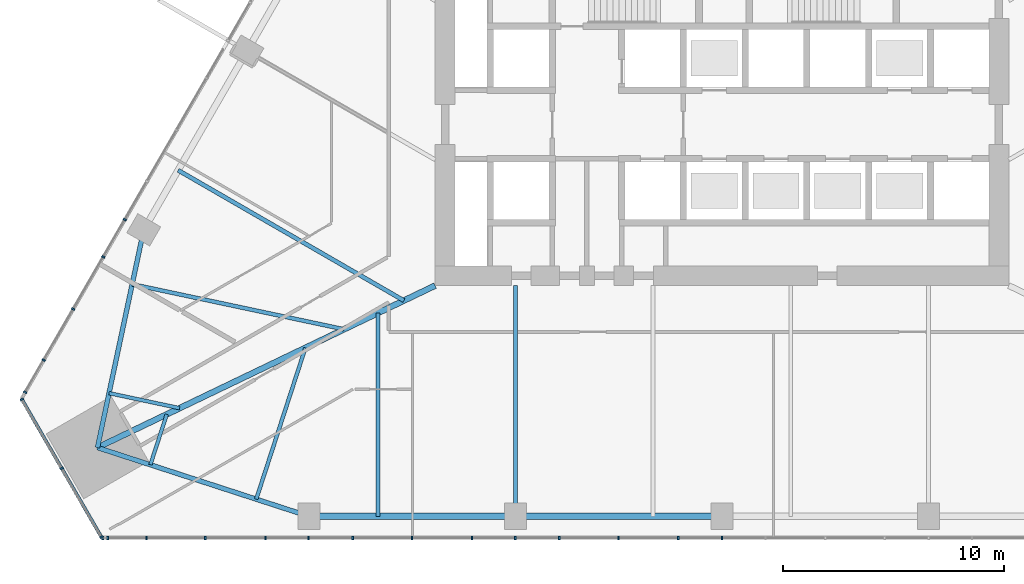
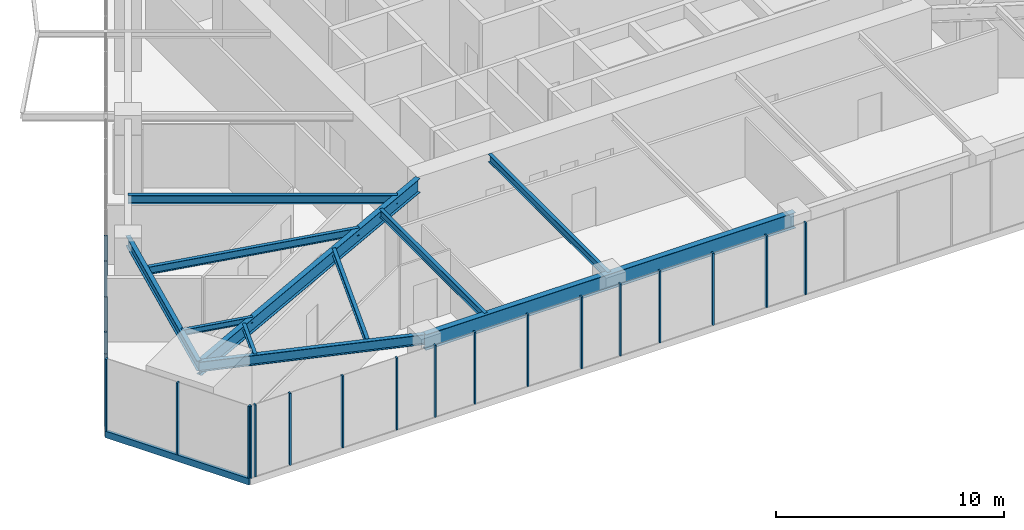
# One storey, part 2 of 22: 23 members, 11 beams, 3 elements without a shape of their own.
"""IFC4 building model written with IfcOpenShell, lengths in metres."""

from ifc_helpers import new_model, si_unit, direction, frame, origin, origin_2d, place, context, subcontext, project, spatial, rectangle, i_section, extrude, material, layer, layer_set, material_profile, profile_set, type_object, element, aggregate, save


model = new_model("IFC4")

# Units and contexts
model_context = context("Model", 3, precision=1e-05, world=origin(), true_north=direction((0.0, 1.0)))
body_context = subcontext(model_context, "Body", "Model", "MODEL_VIEW")
ifc_project = project(units=[si_unit("LENGTHUNIT", "METRE"), si_unit("AREAUNIT", "SQUARE_METRE"), si_unit("VOLUMEUNIT", "CUBIC_METRE"), si_unit("PLANEANGLEUNIT", "RADIAN"), si_unit("MASSUNIT", "GRAM", prefix="KILO")], contexts=[model_context])

# Site, building, storey
site_placement = place(None, origin())
site = spatial("IfcSite", under=ifc_project, at=site_placement, CompositionType="ELEMENT")
building_placement = place(site_placement, origin())
building = spatial("IfcBuilding", under=site, at=building_placement, Name="Firuza Gate Tower and Library", CompositionType="ELEMENT")
storey_placement = place(building_placement, frame((0.0, 0.0, 111.39990234375)))
storey = spatial("IfcBuildingStorey", under=building, at=storey_placement, Name="L25", CompositionType="ELEMENT", Elevation=111.39990234375)

# Curtain wall, members
ifc_material_1 = material(Name="Aluminium 6063-T6", Category="aluminium")
ifc_layer_1 = layer(ifc_material_1, 0.14990234375)
ifc_layer_set_1 = layer_set([ifc_layer_1], Name="Unitised curtain wall, offices")
curtain_wall_type_1 = type_object("IfcCurtainWallType", Name="Unitised curtain wall, offices", PredefinedType="NOTDEFINED", material=ifc_layer_set_1)
placement = place(storey_placement, origin())
curtain_wall_1 = element("IfcCurtainWall", 1, at=placement, inside=storey, type_object=curtain_wall_type_1, Name="CW1 L25 S face", PredefinedType="NOTDEFINED")
ifc_material_2 = material(Name="Aluminium 6063-T6", Category="aluminium")
ifc_material_profile_1 = material_profile(ifc_material_2, rectangle(XDim=0.14990234375, YDim=0.080078125, at=origin_2d()))
ifc_profile_set_1 = profile_set([ifc_material_profile_1], Name="Aluminium 6063-T6")
member_type_1 = type_object("IfcMemberType", Name="Curtain wall mullion 80x150", PredefinedType="MULLION", material=ifc_profile_set_1)
member_1_placement = place(storey_placement, frame((46.93408203125, 54.566162109375, 0.150146484375), z_axis=(0.0, 0.0, 1.0), x_axis=(0.0, 1.0, 0.0)))
member_1 = element("IfcMember", 2, at=member_1_placement, type_object=member_type_1, Name="Mullion", PredefinedType="MULLION", context=body_context, shape_type="SweptSolid", body=[
    extrude(rectangle(XDim=0.14990234375, YDim=0.080078125, at=origin_2d()), origin(), (0.0, 0.0, 1.0), 3.849853515625),
])
member_2_placement = place(storey_placement, frame((51.578369140625, 54.566162109375, 0.150146484375), z_axis=(0.0, 0.0, 1.0), x_axis=(0.0, 1.0, 0.0)))
member_2 = element("IfcMember", 3, at=member_2_placement, type_object=member_type_1, Name="Mullion", PredefinedType="MULLION", context=body_context, shape_type="SweptSolid", body=[
    extrude(rectangle(XDim=0.14990234375, YDim=0.080078125, at=origin_2d()), origin(), (0.0, 0.0, 1.0), 3.849853515625),
])
member_3_placement = place(storey_placement, frame((56.2626953125, 54.566162109375, 0.150146484375), z_axis=(0.0, 0.0, 1.0), x_axis=(0.0, 1.0, 0.0)))
member_3 = element("IfcMember", 4, at=member_3_placement, type_object=member_type_1, Name="Mullion", PredefinedType="MULLION", context=body_context, shape_type="SweptSolid", body=[
    extrude(rectangle(XDim=0.14990234375, YDim=0.080078125, at=origin_2d()), origin(), (0.0, 0.0, 1.0), 3.849853515625),
])
member_4_placement = place(storey_placement, frame((60.947021484375, 54.566162109375, 0.150146484375), z_axis=(0.0, 0.0, 1.0), x_axis=(0.0, 1.0, 0.0)))
member_4 = element("IfcMember", 5, at=member_4_placement, type_object=member_type_1, Name="Mullion", PredefinedType="MULLION", context=body_context, shape_type="SweptSolid", body=[
    extrude(rectangle(XDim=0.14990234375, YDim=0.080078125, at=origin_2d()), origin(), (0.0, 0.0, 1.0), 3.849853515625),
])
member_5_placement = place(storey_placement, frame((65.63134765625, 54.566162109375, 0.150146484375), z_axis=(0.0, 0.0, 1.0), x_axis=(0.0, 1.0, 0.0)))
member_5 = element("IfcMember", 6, at=member_5_placement, type_object=member_type_1, Name="Mullion", PredefinedType="MULLION", context=body_context, shape_type="SweptSolid", body=[
    extrude(rectangle(XDim=0.14990234375, YDim=0.080078125, at=origin_2d()), origin(), (0.0, 0.0, 1.0), 3.849853515625),
])
member_6_placement = place(storey_placement, frame((70.315673828125, 54.566162109375, 0.150146484375), z_axis=(0.0, 0.0, 1.0), x_axis=(0.0, 1.0, 0.0)))
member_6 = element("IfcMember", 7, at=member_6_placement, type_object=member_type_1, Name="Mullion", PredefinedType="MULLION", context=body_context, shape_type="SweptSolid", body=[
    extrude(rectangle(XDim=0.14990234375, YDim=0.080078125, at=origin_2d()), origin(), (0.0, 0.0, 1.0), 3.849853515625),
])
member_7_placement = place(storey_placement, frame((75.0, 54.566162109375, 0.150146484375), z_axis=(0.0, 0.0, 1.0), x_axis=(0.0, 1.0, 0.0)))
member_7 = element("IfcMember", 8, at=member_7_placement, type_object=member_type_1, Name="Mullion", PredefinedType="MULLION", context=body_context, shape_type="SweptSolid", body=[
    extrude(rectangle(XDim=0.14990234375, YDim=0.080078125, at=origin_2d()), origin(), (0.0, 0.0, 1.0), 3.849853515625),
])
member_8_placement = place(storey_placement, frame((47.16015625, 54.566162109375, 0.150146484375), z_axis=(0.0, 0.0, 1.0), x_axis=(0.0, 1.0, 0.0)))
member_8 = element("IfcMember", 9, at=member_8_placement, type_object=member_type_1, Name="Mullion", PredefinedType="MULLION", context=body_context, shape_type="SweptSolid", body=[
    extrude(rectangle(XDim=0.14990234375, YDim=0.080078125, at=origin_2d()), origin(), (0.0, 0.0, 1.0), 3.849853515625),
])
member_9_placement = place(storey_placement, frame((48.913818359375, 54.566162109375, 0.150146484375), z_axis=(0.0, 0.0, 1.0), x_axis=(0.0, 1.0, 0.0)))
member_9 = element("IfcMember", 10, at=member_9_placement, type_object=member_type_1, Name="Mullion", PredefinedType="MULLION", context=body_context, shape_type="SweptSolid", body=[
    extrude(rectangle(XDim=0.14990234375, YDim=0.080078125, at=origin_2d()), origin(), (0.0, 0.0, 1.0), 3.849853515625),
])
member_10_placement = place(storey_placement, frame((54.315185546875, 54.566162109375, 0.150146484375), z_axis=(0.0, 0.0, 1.0), x_axis=(0.0, 1.0, 0.0)))
member_10 = element("IfcMember", 11, at=member_10_placement, type_object=member_type_1, Name="Mullion", PredefinedType="MULLION", context=body_context, shape_type="SweptSolid", body=[
    extrude(rectangle(XDim=0.14990234375, YDim=0.080078125, at=origin_2d()), origin(), (0.0, 0.0, 1.0), 3.849853515625),
])
member_11_placement = place(storey_placement, frame((58.26806640625, 54.566162109375, 0.150146484375), z_axis=(0.0, 0.0, 1.0), x_axis=(0.0, 1.0, 0.0)))
member_11 = element("IfcMember", 12, at=member_11_placement, type_object=member_type_1, Name="Mullion", PredefinedType="MULLION", context=body_context, shape_type="SweptSolid", body=[
    extrude(rectangle(XDim=0.14990234375, YDim=0.080078125, at=origin_2d()), origin(), (0.0, 0.0, 1.0), 3.849853515625),
])
member_12_placement = place(storey_placement, frame((63.669189453125, 54.566162109375, 0.150146484375), z_axis=(0.0, 0.0, 1.0), x_axis=(0.0, 1.0, 0.0)))
member_12 = element("IfcMember", 13, at=member_12_placement, type_object=member_type_1, Name="Mullion", PredefinedType="MULLION", context=body_context, shape_type="SweptSolid", body=[
    extrude(rectangle(XDim=0.14990234375, YDim=0.080078125, at=origin_2d()), origin(), (0.0, 0.0, 1.0), 3.849853515625),
])
member_13_placement = place(storey_placement, frame((67.622314453125, 54.566162109375, 0.150146484375), z_axis=(0.0, 0.0, 1.0), x_axis=(0.0, 1.0, 0.0)))
member_13 = element("IfcMember", 14, at=member_13_placement, type_object=member_type_1, Name="Mullion", PredefinedType="MULLION", context=body_context, shape_type="SweptSolid", body=[
    extrude(rectangle(XDim=0.14990234375, YDim=0.080078125, at=origin_2d()), origin(), (0.0, 0.0, 1.0), 3.849853515625),
])
member_14_placement = place(storey_placement, frame((73.0234375, 54.566162109375, 0.150146484375), z_axis=(0.0, 0.0, 1.0), x_axis=(0.0, 1.0, 0.0)))
member_14 = element("IfcMember", 15, at=member_14_placement, type_object=member_type_1, Name="Mullion", PredefinedType="MULLION", context=body_context, shape_type="SweptSolid", body=[
    extrude(rectangle(XDim=0.14990234375, YDim=0.080078125, at=origin_2d()), origin(), (0.0, 0.0, 1.0), 3.849853515625),
])
aggregate(curtain_wall_1, [member_1, member_2, member_3, member_4, member_5, member_6, member_7, member_8, member_9, member_10, member_11, member_12, member_13, member_14])

curtain_wall_2 = element("IfcCurtainWall", 16, at=placement, inside=storey, type_object=curtain_wall_type_1, Name="CW1 L25 W face", PredefinedType="NOTDEFINED")
member_15_placement = place(storey_placement, frame((47.93505859375, 68.989990234375, 0.150146484375), z_axis=(0.0, 0.0, 1.0), x_axis=(0.866025403784, -0.5, 0.0)))
member_15 = element("IfcMember", 17, at=member_15_placement, type_object=member_type_1, Name="Mullion", PredefinedType="MULLION", context=body_context, shape_type="SweptSolid", body=[
    extrude(rectangle(XDim=0.14990234375, YDim=0.080078125, at=origin_2d()), origin(), (0.0, 0.0, 1.0), 3.849853515625),
])
member_16_placement = place(storey_placement, frame((45.593017578125, 64.933349609375, 0.150146484375), z_axis=(0.0, 0.0, 1.0), x_axis=(0.866025403784, -0.5, 0.0)))
member_16 = element("IfcMember", 18, at=member_16_placement, type_object=member_type_1, Name="Mullion", PredefinedType="MULLION", context=body_context, shape_type="SweptSolid", body=[
    extrude(rectangle(XDim=0.14990234375, YDim=0.080078125, at=origin_2d()), origin(), (0.0, 0.0, 1.0), 3.849853515625),
])
member_17_placement = place(storey_placement, frame((46.961181640625, 67.30322265625, 0.150146484375), z_axis=(0.0, 0.0, 1.0), x_axis=(0.866025403784, -0.5, 0.0)))
member_17 = element("IfcMember", 19, at=member_17_placement, type_object=member_type_1, Name="Mullion", PredefinedType="MULLION", context=body_context, shape_type="SweptSolid", body=[
    extrude(rectangle(XDim=0.14990234375, YDim=0.080078125, at=origin_2d()), origin(), (0.0, 0.0, 1.0), 3.849853515625),
])
member_18_placement = place(storey_placement, frame((44.2607421875, 62.625732421875, 0.150146484375), z_axis=(0.0, 0.0, 1.0), x_axis=(0.866025403784, -0.5, 0.0)))
member_18 = element("IfcMember", 20, at=member_18_placement, type_object=member_type_1, Name="Mullion", PredefinedType="MULLION", context=body_context, shape_type="SweptSolid", body=[
    extrude(rectangle(XDim=0.14990234375, YDim=0.080078125, at=origin_2d()), origin(), (0.0, 0.0, 1.0), 3.849853515625),
])
member_19_placement = place(storey_placement, frame((43.416259765625, 61.163330078125, 0.150146484375), z_axis=(0.0, 0.0, 1.0), x_axis=(0.866025403784, -0.5, 0.0)))
member_19 = element("IfcMember", 21, at=member_19_placement, type_object=member_type_1, Name="Mullion", PredefinedType="MULLION", context=body_context, shape_type="SweptSolid", body=[
    extrude(rectangle(XDim=0.14990234375, YDim=0.080078125, at=origin_2d()), origin(), (0.0, 0.0, 1.0), 3.849853515625),
])
aggregate(curtain_wall_2, [member_15, member_16, member_17, member_18, member_19])

ifc_material_3 = material(Name="Aluminium 6063-T6", Category="aluminium")
ifc_layer_2 = layer(ifc_material_3, 0.14990234375)
ifc_layer_set_2 = layer_set([ifc_layer_2], Name="Corner curtain wall, chamfers")
curtain_wall_type_2 = type_object("IfcCurtainWallType", Name="Corner curtain wall, chamfers", PredefinedType="NOTDEFINED", material=ifc_layer_set_2)
curtain_wall_3 = element("IfcCurtainWall", 22, at=placement, inside=storey, type_object=curtain_wall_type_2, Name="CW4 L25 SW corner", PredefinedType="NOTDEFINED")
member_20_placement = place(storey_placement, frame((43.270751953125, 60.841796875, 0.150146484375), z_axis=(0.0, 0.0, 1.0), x_axis=(0.866025403784, 0.5, 0.0)))
member_20 = element("IfcMember", 23, at=member_20_placement, type_object=member_type_1, Name="Mullion", PredefinedType="MULLION", context=body_context, shape_type="SweptSolid", body=[
    extrude(rectangle(XDim=0.14990234375, YDim=0.080078125, at=origin_2d()), origin(), (0.0, 0.0, 1.0), 3.849853515625),
])
member_21_placement = place(storey_placement, frame((45.072509765625, 57.72119140625, 0.150146484375), z_axis=(0.0, 0.0, 1.0), x_axis=(0.866025403784, 0.5, 0.0)))
member_21 = element("IfcMember", 24, at=member_21_placement, type_object=member_type_1, Name="Mullion", PredefinedType="MULLION", context=body_context, shape_type="SweptSolid", body=[
    extrude(rectangle(XDim=0.14990234375, YDim=0.080078125, at=origin_2d()), origin(), (0.0, 0.0, 1.0), 3.849853515625),
])
member_22_placement = place(storey_placement, frame((46.8740234375, 54.600830078125, 0.150146484375), z_axis=(0.0, 0.0, 1.0), x_axis=(0.866025403784, 0.5, 0.0)))
member_22 = element("IfcMember", 25, at=member_22_placement, type_object=member_type_1, Name="Mullion", PredefinedType="MULLION", context=body_context, shape_type="SweptSolid", body=[
    extrude(rectangle(XDim=0.14990234375, YDim=0.080078125, at=origin_2d()), origin(), (0.0, 0.0, 1.0), 3.849853515625),
])
ifc_material_4 = material(Name="Aluminium 6063-T6", Category="aluminium")
ifc_material_profile_2 = material_profile(ifc_material_4, rectangle(XDim=0.14990234375, YDim=0.35009765625, at=origin_2d()))
ifc_profile_set_2 = profile_set([ifc_material_profile_2], Name="Aluminium 6063-T6")
member_type_2 = type_object("IfcMemberType", Name="Curtain wall transom 350x150", PredefinedType="USERDEFINED", material=ifc_profile_set_2)
member_23_placement = place(storey_placement, frame((43.250732421875, 60.87646484375, -0.02490234375), z_axis=(0.500005719219, -0.866022101766, 0.0), x_axis=(0.866022101766, 0.500005719219, 0.0)))
member_23 = element("IfcMember", 26, at=member_23_placement, type_object=member_type_2, Name="Transom", ObjectType="TRANSOM", PredefinedType="USERDEFINED", context=body_context, shape_type="SweptSolid", body=[
    extrude(rectangle(XDim=0.14990234375, YDim=0.35009765625, at=origin_2d()), origin(), (0.0, 0.0, 1.0), 7.28662109375),
])
aggregate(curtain_wall_3, [member_20, member_21, member_22, member_23])

# Beams
ifc_material_5 = material(Name="Steel S355", Category="steel")
ifc_material_profile_3 = material_profile(ifc_material_5, i_section(OverallWidth=0.1650390625, OverallDepth=0.31005859375, WebThickness=0.005859375, FlangeThickness=0.009765625, at=origin_2d()))
ifc_profile_set_3 = profile_set([ifc_material_profile_3], Name="Steel S355")
beam_type_1 = type_object("IfcBeamType", Name="W310x39 Floor beam", PredefinedType="JOIST", material=ifc_profile_set_3)
beam_1_placement = place(storey_placement, frame((47.220703125, 61.1259765625, 3.84521484375), z_axis=(0.97813855531, -0.207954241639, 0.0), x_axis=(0.207954241639, 0.97813855531, 0.0)))
element("IfcBeam", 27, at=beam_1_placement, inside=storey, type_object=beam_type_1, Name="Floor beam L25 s01", PredefinedType="JOIST", context=body_context, shape_type="SweptSolid", body=[
    extrude(i_section(OverallWidth=0.1650390625, OverallDepth=0.31005859375, WebThickness=0.005859375, FlangeThickness=0.009765625, at=origin_2d()), origin(), (0.0, 0.0, 1.0), 3.27197265625),
])
beam_2_placement = place(storey_placement, frame((49.094970703125, 57.87939453125, 3.84521484375), z_axis=(0.308998819995, 0.951062421317, 0.0), x_axis=(-0.951062421317, 0.308998819995, 0.0)))
element("IfcBeam", 28, at=beam_2_placement, inside=storey, type_object=beam_type_1, Name="Floor beam L25 s10", PredefinedType="JOIST", context=body_context, shape_type="SweptSolid", body=[
    extrude(i_section(OverallWidth=0.1650390625, OverallDepth=0.31005859375, WebThickness=0.005859375, FlangeThickness=0.009765625, at=origin_2d()), origin(), (0.0, 0.0, 1.0), 2.404296875),
])
ifc_material_6 = material(Name="Steel S355", Category="steel")
ifc_material_profile_4 = material_profile(ifc_material_6, i_section(OverallWidth=0.1708984375, OverallDepth=0.35498046875, WebThickness=0.007080078125, FlangeThickness=0.01171875, at=origin_2d()))
ifc_profile_set_4 = profile_set([ifc_material_profile_4], Name="Steel S355")
beam_type_2 = type_object("IfcBeamType", Name="W360x51 Floor beam", PredefinedType="JOIST", material=ifc_profile_set_4)
beam_3_placement = place(storey_placement, frame((53.892822265625, 56.320556640625, 3.822509765625), z_axis=(0.309008767466, 0.951059189341, 0.0), x_axis=(-0.951059189341, 0.309008767466, 0.0)))
element("IfcBeam", 29, at=beam_3_placement, inside=storey, type_object=beam_type_2, Name="Floor beam L25 s11", PredefinedType="JOIST", context=body_context, shape_type="SweptSolid", body=[
    extrude(i_section(OverallWidth=0.1708984375, OverallDepth=0.35498046875, WebThickness=0.007080078125, FlangeThickness=0.01171875, at=origin_2d()), origin(), (0.0, 0.0, 1.0), 7.212646484375),
])
ifc_material_7 = material(Name="Steel S355", Category="steel")
ifc_material_profile_5 = material_profile(ifc_material_7, i_section(OverallWidth=0.177978515625, OverallDepth=0.406982421875, WebThickness=0.0078125, FlangeThickness=0.0126953125, at=origin_2d()))
ifc_profile_set_5 = profile_set([ifc_material_profile_5], Name="Steel S355")
beam_type_3 = type_object("IfcBeamType", Name="W410x60 Floor beam", PredefinedType="JOIST", material=ifc_profile_set_5)
beam_4_placement = place(storey_placement, frame((48.26953125, 66.060302734375, 3.796630859375), z_axis=(0.978144689505, -0.207925386601, 0.0), x_axis=(0.207925386601, 0.978144689505, 0.0)))
element("IfcBeam", 30, at=beam_4_placement, inside=storey, type_object=beam_type_3, Name="Floor beam L25 s00", PredefinedType="JOIST", context=body_context, shape_type="SweptSolid", body=[
    extrude(i_section(OverallWidth=0.177978515625, OverallDepth=0.406982421875, WebThickness=0.0078125, FlangeThickness=0.0126953125, at=origin_2d()), origin(), (0.0, 0.0, 1.0), 9.816162109375),
])
beam_5_placement = place(storey_placement, frame((59.40966796875, 55.541015625, 3.796630859375), z_axis=(0.0, 1.0, 0.0), x_axis=(-1.0, 0.0, 0.0)))
element("IfcBeam", 31, at=beam_5_placement, inside=storey, type_object=beam_type_3, Name="Floor beam L25 s20", PredefinedType="JOIST", context=body_context, shape_type="SweptSolid", body=[
    extrude(i_section(OverallWidth=0.177978515625, OverallDepth=0.406982421875, WebThickness=0.0078125, FlangeThickness=0.0126953125, at=origin_2d()), origin(), (0.0, 0.0, 1.0), 9.21630859375),
])
beam_6_placement = place(storey_placement, frame((65.645751953125, 55.541015625, 3.796630859375), z_axis=(0.0, 1.0, 0.0), x_axis=(-1.0, 0.0, 0.0)))
element("IfcBeam", 32, at=beam_6_placement, inside=storey, type_object=beam_type_3, Name="Floor beam L25 s21", PredefinedType="JOIST", context=body_context, shape_type="SweptSolid", body=[
    extrude(i_section(OverallWidth=0.177978515625, OverallDepth=0.406982421875, WebThickness=0.0078125, FlangeThickness=0.0126953125, at=origin_2d()), origin(), (0.0, 0.0, 1.0), 10.458984375),
])
ifc_material_8 = material(Name="Steel S355", Category="steel")
ifc_material_profile_6 = material_profile(ifc_material_8, i_section(OverallWidth=0.18994140625, OverallDepth=0.45703125, WebThickness=0.009033203125, FlangeThickness=0.014404296875, at=origin_2d()))
ifc_profile_set_6 = profile_set([ifc_material_profile_6], Name="Steel S355")
beam_type_4 = type_object("IfcBeamType", Name="W460x74 Floor beam", PredefinedType="JOIST", material=ifc_profile_set_6)
beam_7_placement = place(storey_placement, frame((50.35302734375, 71.227783203125, 3.771484375), z_axis=(0.866025562448, -0.499999725187, 0.0), x_axis=(0.499999725187, 0.866025562448, 0.0)))
element("IfcBeam", 33, at=beam_7_placement, inside=storey, type_object=beam_type_4, Name="Floor beam L25 s85", PredefinedType="JOIST", context=body_context, shape_type="SweptSolid", body=[
    extrude(i_section(OverallWidth=0.18994140625, OverallDepth=0.45703125, WebThickness=0.009033203125, FlangeThickness=0.014404296875, at=origin_2d()), origin(), (0.0, 0.0, 1.0), 11.81396484375),
])
ifc_material_9 = material(Name="Steel S355", Category="steel")
ifc_material_profile_7 = material_profile(ifc_material_9, i_section(OverallWidth=0.212890625, OverallDepth=0.5390625, WebThickness=0.01171875, FlangeThickness=0.018798828125, at=origin_2d()))
ifc_profile_set_7 = profile_set([ifc_material_profile_7], Name="Steel S355")
beam_type_5 = type_object("IfcBeamType", Name="W530x109 Edge beam", PredefinedType="SPANDREL", material=ifc_profile_set_7)
beam_8_placement = place(storey_placement, frame((48.7939453125, 68.527587890625, 3.730712890625), z_axis=(-0.207907664892, -0.978148456462, 0.0), x_axis=(0.978148456462, -0.207907664892, 0.0)))
element("IfcBeam", 34, at=beam_8_placement, inside=storey, type_object=beam_type_5, Name="Edge beam L25 e00", PredefinedType="SPANDREL", context=body_context, shape_type="SweptSolid", body=[
    extrude(i_section(OverallWidth=0.212890625, OverallDepth=0.5390625, WebThickness=0.01171875, FlangeThickness=0.018798828125, at=origin_2d()), origin(), (0.0, 0.0, 1.0), 10.08935546875),
])
beam_9_placement = place(storey_placement, frame((46.6962890625, 58.65869140625, 3.730712890625), z_axis=(0.951056472923, -0.309017127862, 0.0), x_axis=(0.309017127862, 0.951056472923, 0.0)))
element("IfcBeam", 35, at=beam_9_placement, inside=storey, type_object=beam_type_5, Name="Edge beam L25 e10", PredefinedType="SPANDREL", context=body_context, shape_type="SweptSolid", body=[
    extrude(i_section(OverallWidth=0.212890625, OverallDepth=0.5390625, WebThickness=0.01171875, FlangeThickness=0.018798828125, at=origin_2d()), origin(), (0.0, 0.0, 1.0), 10.089111328125),
])
ifc_material_10 = material(Name="Steel S355", Category="steel")
ifc_material_profile_8 = material_profile(ifc_material_10, i_section(OverallWidth=0.264892578125, OverallDepth=0.7529296875, WebThickness=0.01318359375, FlangeThickness=0.01708984375, at=origin_2d()))
ifc_profile_set_8 = profile_set([ifc_material_profile_8], Name="Steel S355")
beam_type_6 = type_object("IfcBeamType", Name="W760x147 Girder", PredefinedType="BEAM", material=ifc_profile_set_8)
beam_10_placement = place(storey_placement, frame((46.6962890625, 58.65869140625, 3.62353515625), z_axis=(0.901625831299, 0.43251689023, 0.0), x_axis=(-0.43251689023, 0.901625831299, 0.0)))
element("IfcBeam", 36, at=beam_10_placement, inside=storey, type_object=beam_type_6, Name="Girder L25 gSW", PredefinedType="BEAM", context=body_context, shape_type="SweptSolid", body=[
    extrude(i_section(OverallWidth=0.264892578125, OverallDepth=0.7529296875, WebThickness=0.01318359375, FlangeThickness=0.01708984375, at=origin_2d()), origin(), (0.0, 0.0, 1.0), 16.973388671875),
])
ifc_material_11 = material(Name="Steel S355", Category="steel")
ifc_material_profile_9 = material_profile(ifc_material_11, i_section(OverallWidth=0.2919921875, OverallDepth=0.8349609375, WebThickness=0.013916015625, FlangeThickness=0.018798828125, at=origin_2d()))
ifc_profile_set_9 = profile_set([ifc_material_profile_9], Name="Steel S355")
beam_type_7 = type_object("IfcBeamType", Name="W840x176 Edge beam", PredefinedType="SPANDREL", material=ifc_profile_set_9)
beam_11_placement = place(storey_placement, frame((56.29150390625, 55.541015625, 3.58251953125), z_axis=(1.0, 0.0, 0.0), x_axis=(0.0, 1.0, 0.0)))
element("IfcBeam", 37, at=beam_11_placement, inside=storey, type_object=beam_type_7, Name="Edge beam L25 e20", PredefinedType="SPANDREL", context=body_context, shape_type="SweptSolid", body=[
    extrude(i_section(OverallWidth=0.2919921875, OverallDepth=0.8349609375, WebThickness=0.013916015625, FlangeThickness=0.018798828125, at=origin_2d()), origin(), (0.0, 0.0, 1.0), 18.70849609375),
])

save(model, "model.ifc")
